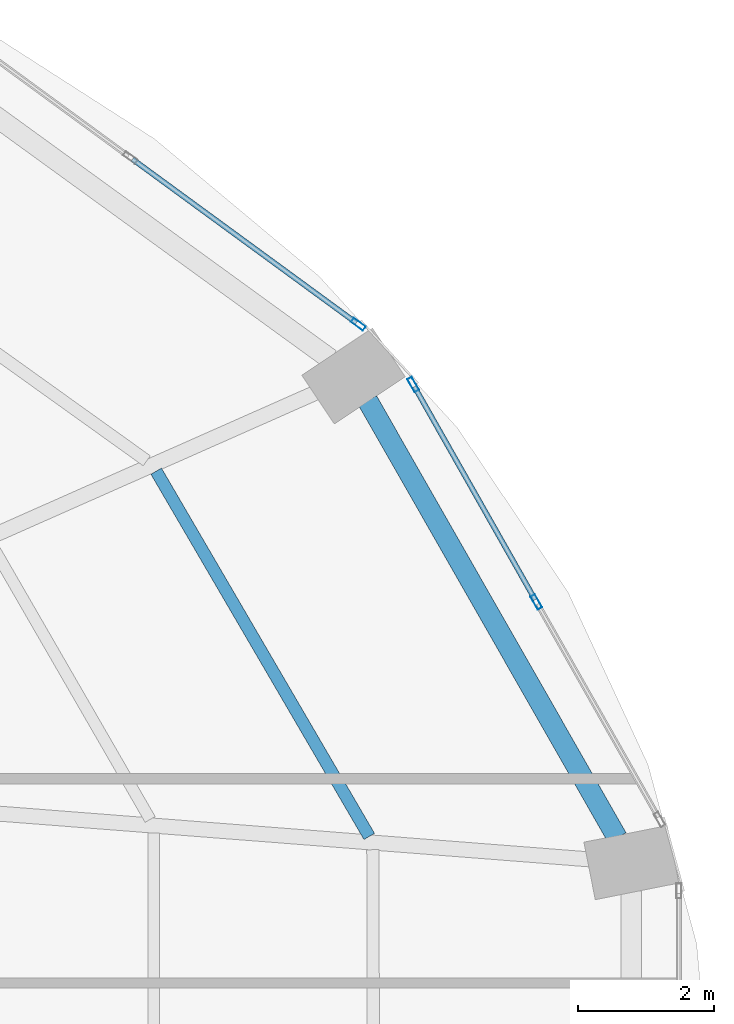
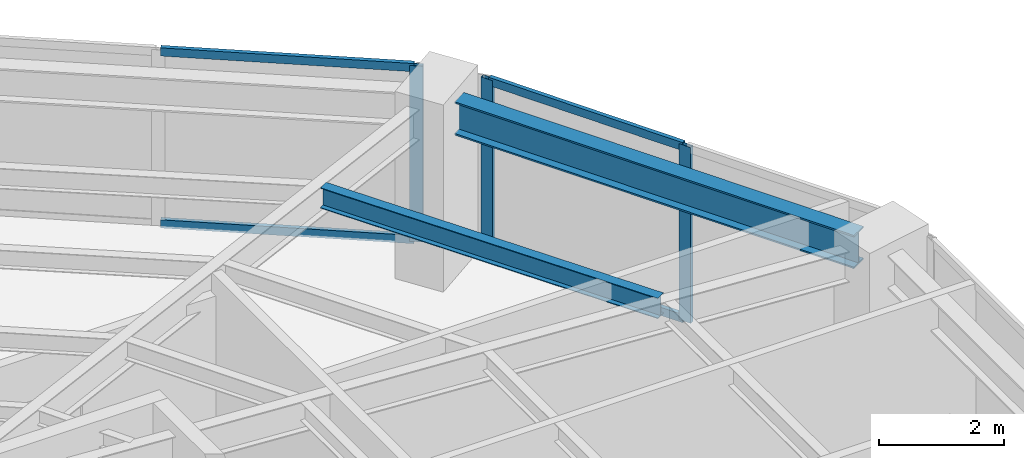
# One storey, part 19 of 25: 7 members, 2 beams, 2 elements without a shape of their own.
"""IFC4 building model written with IfcOpenShell, lengths in metres."""

import ifcopenshell
import ifcopenshell.guid

model = None  # the IFC model being written
_history = None  # IfcOwnerHistory: only IFC2X3 demands one
_inside = {}  # id of a spatial element -> (the spatial element, [elements in it])
_under = {}  # id of a project, library or spatial element -> (it, [spatial elements below it])
_declared = {}  # id of a project -> (the project, [libraries it declares])
_typed = {}  # id of a type object -> (the type object, [elements of that type])
_made_of = {}  # id of a material, layer set ... -> (it, [elements and type objects made of it])


def new_model(schema):
    """Start an empty IFC model of exactly this schema.

    Asked for "IFC4X3", IfcOpenShell would pick the latest addendum, in which some entities
    have other attributes; the version numbers below select the first issue.
    IFC2X3 requires an IfcOwnerHistory on every rooted entity: one is made here for all.
    """
    global model, _history
    if schema == "IFC4X3":
        model = ifcopenshell.file(schema_version=(4, 3, 0, 0))
    else:
        model = ifcopenshell.file(schema=schema)
    _inside.clear()
    _under.clear()
    _declared.clear()
    _typed.clear()
    _made_of.clear()
    _history = None
    if model.schema == "IFC2X3":
        org = make("IfcOrganization", Name="unknown")
        user = make(
            "IfcPersonAndOrganization",
            ThePerson=make("IfcPerson", FamilyName="unknown"),
            TheOrganization=org,
        )
        app = make(
            "IfcApplication",
            ApplicationDeveloper=org,
            Version="unknown",
            ApplicationFullName="unknown",
            ApplicationIdentifier="unknown",
        )
        _history = make(
            "IfcOwnerHistory",
            OwningUser=user,
            OwningApplication=app,
            ChangeAction="ADDED",
            CreationDate=0,
        )
    return model


def make(cls, **values):
    """One entity of the class cls with the attributes given. An attribute that is None is left unset."""
    return model.create_entity(
        cls, **{name: value for name, value in values.items() if value is not None}
    )


def rooted(cls, **values):
    """An entity with a GlobalId (a new one), such as an element, a storey or a relation."""
    return make(cls, GlobalId=ifcopenshell.guid.new(), OwnerHistory=_history, **values)


def si_unit(unit_type, name, prefix=None):
    """IfcSIUnit, for example si_unit("LENGTHUNIT", "METRE", prefix="MILLI")."""
    return make("IfcSIUnit", UnitType=unit_type, Prefix=prefix, Name=name)


def assignment(units):
    """IfcUnitAssignment: the units of a project."""
    return None if units is None else make("IfcUnitAssignment", Units=units)


def point(xyz):
    """IfcCartesianPoint."""
    return None if xyz is None else make("IfcCartesianPoint", Coordinates=xyz)


def direction(xyz):
    """IfcDirection."""
    return None if xyz is None else make("IfcDirection", DirectionRatios=xyz)


def frame(location, z_axis=None, x_axis=None):
    """IfcAxis2Placement3D, a coordinate frame: its origin and axes. An axis left out is left unset."""
    return make(
        "IfcAxis2Placement3D",
        Location=point(location),
        Axis=direction(z_axis),
        RefDirection=direction(x_axis),
    )


def frame_2d(location, x_axis=None):
    """IfcAxis2Placement2D, a coordinate frame in the plane: its origin and x axis."""
    return make(
        "IfcAxis2Placement2D", Location=point(location), RefDirection=direction(x_axis)
    )


def origin():
    """The frame at (0, 0, 0) with its axes left unset."""
    return frame((0.0, 0.0, 0.0))


def origin_2d():
    """The frame at (0, 0) in the plane with its x axis left unset."""
    return frame_2d((0.0, 0.0))


def place(relative_to, where):
    """IfcLocalPlacement: puts the frame where relative to a parent placement (None: the world)."""
    return make(
        "IfcLocalPlacement", PlacementRelTo=relative_to, RelativePlacement=where
    )


def context(
    kind, dimensions, precision=None, world=None, true_north=None, identifier=None
):
    """IfcGeometricRepresentationContext, for example the 3D "Model" context."""
    return make(
        "IfcGeometricRepresentationContext",
        ContextIdentifier=identifier,
        ContextType=kind,
        CoordinateSpaceDimension=dimensions,
        Precision=precision,
        WorldCoordinateSystem=world,
        TrueNorth=true_north,
    )


def subcontext(parent, identifier, kind, view, scale=None):
    """IfcGeometricRepresentationSubContext, for example "Body" below "Model"."""
    return make(
        "IfcGeometricRepresentationSubContext",
        ContextIdentifier=identifier,
        ContextType=kind,
        ParentContext=parent,
        TargetScale=scale,
        TargetView=view,
    )


def project(units=None, contexts=None):
    """IfcProject with its units and contexts."""
    return rooted(
        "IfcProject",
        Name="project",
        RepresentationContexts=contexts,
        UnitsInContext=assignment(units),
    )


def spatial(cls, under=None, at=None, **own):
    """A site, building, storey or space (cls), placed at a placement, below another one or the project."""
    s = rooted(cls, ObjectPlacement=at, **own)
    if under is not None:
        _under.setdefault(under.id(), (under, []))[1].append(s)
    return s


def profile(cls, at=None, kind="AREA", **sizes):
    """A parametric profile (cls). Its sizes go by their IFC names, for example OverallWidth=200.0."""
    return make(cls, ProfileType=kind, Position=at, **sizes)


def hollow_rectangle(**sizes):
    """IfcRectangleHollowProfileDef."""
    return profile("IfcRectangleHollowProfileDef", **sizes)


def i_section(**sizes):
    """IfcIShapeProfileDef."""
    return profile("IfcIShapeProfileDef", **sizes)


def extrude(swept, where, along, depth):
    """IfcExtrudedAreaSolid: the profile swept, set in the frame where, extruded along a direction by depth."""
    return make(
        "IfcExtrudedAreaSolid",
        SweptArea=swept,
        Position=where,
        ExtrudedDirection=direction(along),
        Depth=depth,
    )


def shape(context_of_items, identifier, shape_type, items):
    """IfcShapeRepresentation: the items that make up one representation, for example the "Body"."""
    return make(
        "IfcShapeRepresentation",
        ContextOfItems=context_of_items,
        RepresentationIdentifier=identifier,
        RepresentationType=shape_type,
        Items=items,
    )


def material(Name=None, Category=None):
    """IfcMaterial."""
    return make("IfcMaterial", Name=Name, Category=Category)


def layer(
    of_material, thickness, ventilated=None, Name=None, Category=None, Priority=None
):
    """IfcMaterialLayer: one layer of a wall or slab, of a material (None: an air gap)."""
    return make(
        "IfcMaterialLayer",
        Material=of_material,
        LayerThickness=thickness,
        IsVentilated=ventilated,
        Name=Name,
        Category=Category,
        Priority=Priority,
    )


def layer_set(layers, Name=None):
    """IfcMaterialLayerSet."""
    return make("IfcMaterialLayerSet", MaterialLayers=layers, LayerSetName=Name)


def material_profile(
    of_material, cross_section, Name=None, Category=None, Priority=None
):
    """IfcMaterialProfile: a cross section and its material."""
    return make(
        "IfcMaterialProfile",
        Name=Name,
        Material=of_material,
        Profile=cross_section,
        Priority=Priority,
        Category=Category,
    )


def profile_set(profiles, Name=None, composite=None):
    """IfcMaterialProfileSet."""
    return make(
        "IfcMaterialProfileSet",
        Name=Name,
        MaterialProfiles=profiles,
        CompositeProfile=composite,
    )


def made_of(thing, what):
    """Note that an element or type object is made of a material, layer set ...; save() writes the relation."""
    if what is not None:
        _made_of.setdefault(what.id(), (what, []))[1].append(thing)
    return thing


def type_object(cls, material=None, **own):
    """A type object (cls), such as IfcWallType, which elements share."""
    return made_of(rooted(cls, **own), material)


def element(
    cls,
    number,
    at=None,
    inside=None,
    cuts=None,
    type_object=None,
    material=None,
    context=None,
    identifier="Body",
    shape_type=None,
    held_by="IfcProductDefinitionShape",
    body=None,
    shapes=None,
    **own,
):
    """One element of the class cls, such as IfcWall. Its Tag is "e" and its number.

    at: its placement. inside: the storey or other place that contains it. cuts: it is an
    opening in that element (IfcRelVoidsElement). A single representation is given by context,
    identifier, shape_type and body (its items); several are given by shapes. held_by: the class
    of the entity that holds the representations. save() writes the other relations.
    """
    e = rooted(cls, Tag="e%d" % number, ObjectPlacement=at, **own)
    if body is not None:
        shapes = [shape(context, identifier, shape_type, body)]
    if shapes is not None:
        e.Representation = make(held_by, Representations=shapes)
    if inside is not None:
        _inside.setdefault(inside.id(), (inside, []))[1].append(e)
    if cuts is not None:
        rooted(
            "IfcRelVoidsElement", RelatingBuildingElement=cuts, RelatedOpeningElement=e
        )
    if type_object is not None:
        _typed.setdefault(type_object.id(), (type_object, []))[1].append(e)
    return made_of(e, material)


def aggregate(whole, parts):
    """IfcRelAggregates: a whole, such as a stair, and the parts it consists of."""
    return rooted("IfcRelAggregates", RelatingObject=whole, RelatedObjects=parts)


def save(model, path):
    """Write the relations noted so far, then the file.

    IfcRelAggregates (storeys below a building ...), IfcRelContainedInSpatialStructure (elements
    in a storey), IfcRelDefinesByType, IfcRelAssociatesMaterial and IfcRelDeclares: one each for
    every whole, place, type object, material and project.
    """
    for whole, parts in _under.values():
        aggregate(whole, parts)
    for where, things in _inside.values():
        rooted(
            "IfcRelContainedInSpatialStructure",
            RelatedElements=things,
            RelatingStructure=where,
        )
    for kind, things in _typed.values():
        rooted("IfcRelDefinesByType", RelatedObjects=things, RelatingType=kind)
    for what, things in _made_of.values():
        rooted("IfcRelAssociatesMaterial", RelatedObjects=things, RelatingMaterial=what)
    for by, libraries in _declared.values():
        rooted("IfcRelDeclares", RelatingContext=by, RelatedDefinitions=libraries)
    model.write(path)


model = new_model("IFC4")

# Units and contexts
model_context = context("Model", 3, precision=1e-05, world=origin(), true_north=direction((0.0, 1.0)))
body_context = subcontext(model_context, "Body", "Model", "MODEL_VIEW")
ifc_project = project(units=[si_unit("LENGTHUNIT", "METRE"), si_unit("AREAUNIT", "SQUARE_METRE"), si_unit("VOLUMEUNIT", "CUBIC_METRE"), si_unit("PLANEANGLEUNIT", "RADIAN"), si_unit("MASSUNIT", "GRAM", prefix="KILO")], contexts=[model_context])

# Site, building, storey
site_placement = place(None, origin())
site = spatial("IfcSite", under=ifc_project, at=site_placement, CompositionType="ELEMENT")
building_placement = place(site_placement, origin())
building = spatial("IfcBuilding", under=site, at=building_placement, Name="Lazwardi Medical Tower", CompositionType="ELEMENT")
storey_placement = place(building_placement, frame((0.0, 0.0, 47.087890625)))
storey = spatial("IfcBuildingStorey", under=building, at=storey_placement, Name="L11", CompositionType="ELEMENT", Elevation=47.087890625)

# Beams
ifc_material_1 = material(Name="Steel S355", Category="steel")
ifc_material_profile_1 = material_profile(ifc_material_1, i_section(OverallWidth=0.300048828125, OverallDepth=0.64990234375, WebThickness=0.01611328125, FlangeThickness=0.031005859375, at=origin_2d()), Name="HEB 650")
ifc_profile_set_1 = profile_set([ifc_material_profile_1], Name="Steel S355")
beam_type_1 = type_object("IfcBeamType", Name="BM-RB-Z1", PredefinedType="BEAM", material=ifc_profile_set_1)
beam_1_placement = place(storey_placement, frame((62.591796875, 34.63232421875, 3.10302734375), z_axis=(-0.49581512241, 0.868428099724, 0.0), x_axis=(-0.868428099724, -0.49581512241, 0.0)))
element("IfcBeam", 1, at=beam_1_placement, inside=storey, type_object=beam_type_1, Name="Ring beam RB-02 B05 L11", PredefinedType="BEAM", context=body_context, shape_type="SweptSolid", body=[
    extrude(i_section(OverallWidth=0.300048828125, OverallDepth=0.64990234375, WebThickness=0.01611328125, FlangeThickness=0.031005859375, at=origin_2d()), origin(), (0.0, 0.0, 1.0), 7.389404296875),
])
ifc_material_profile_2 = material_profile(ifc_material_1, i_section(OverallWidth=0.179931640625, OverallDepth=0.39990234375, WebThickness=0.008544921875, FlangeThickness=0.013427734375, at=origin_2d()), Name="IPE 400")
ifc_profile_set_2 = profile_set([ifc_material_profile_2], Name="Steel S355")
beam_type_2 = type_object("IfcBeamType", Name="BM-SJ-01", PredefinedType="JOIST", material=ifc_profile_set_2)
beam_2_placement = place(storey_placement, frame((58.951171875, 34.65234375, 3.22802734375), z_axis=(-0.503846579557, 0.863793160582, 0.0), x_axis=(-0.863793160582, -0.503846579557, 0.0)))
element("IfcBeam", 2, at=beam_2_placement, inside=storey, type_object=beam_type_2, Name="Secondary joist SJ-01 R1 B05 L11", PredefinedType="JOIST", context=body_context, shape_type="SweptSolid", body=[
    extrude(i_section(OverallWidth=0.179931640625, OverallDepth=0.39990234375, WebThickness=0.008544921875, FlangeThickness=0.013427734375, at=origin_2d()), origin(), (0.0, 0.0, 1.0), 6.20947265625),
])

# Curtain wall, members
ifc_material_2 = material(Name="Anodised bronze aluminium and solar control glazing", Category="aluminium")
ifc_layer = layer(ifc_material_2, 0.199951171875)
ifc_layer_set = layer_set([ifc_layer], Name="Anodised bronze aluminium and solar control glazing")
curtain_wall_type = type_object("IfcCurtainWallType", Name="CW-SYS-02", PredefinedType="NOTDEFINED", material=ifc_layer_set)
curtain_wall_1_placement = place(storey_placement, origin())
curtain_wall_1 = element("IfcCurtainWall", 3, at=curtain_wall_1_placement, inside=storey, type_object=curtain_wall_type, Name="L11 Unitised bronze curtain wall CW-02", PredefinedType="NOTDEFINED")
ifc_material_3 = material(Name="Anodised bronze aluminium", Category="aluminium")
ifc_material_profile_3 = material_profile(ifc_material_3, hollow_rectangle(XDim=0.074951171875, YDim=0.219970703125, WallThickness=0.00390625, at=origin_2d()), Name="ALU-MULLION 220x75x4")
ifc_profile_set_3 = profile_set([ifc_material_profile_3], Name="Anodised bronze aluminium")
member_type_1 = type_object("IfcMemberType", Name="CW-MUL-01", PredefinedType="MULLION", material=ifc_profile_set_3)
member_1_placement = place(storey_placement, frame((61.4052734375, 38.095458984375, 0.0), z_axis=(0.0, 0.0, 1.0), x_axis=(-0.870111838823, -0.492854327303, 0.0)))
member_1 = element("IfcMember", 4, at=member_1_placement, type_object=member_type_1, Name="CW-02 mullion 2", PredefinedType="MULLION", context=body_context, shape_type="SweptSolid", body=[
    extrude(hollow_rectangle(XDim=0.074951171875, YDim=0.219970703125, WallThickness=0.00390625, at=origin_2d()), origin(), (0.0, 0.0, 1.0), 3.42822265625),
])
member_2_placement = place(storey_placement, frame((59.5966796875, 41.28857421875, 0.0), z_axis=(0.0, 0.0, 1.0), x_axis=(-0.870111838823, -0.492854327303, 0.0)))
member_2 = element("IfcMember", 5, at=member_2_placement, type_object=member_type_1, Name="CW-02 mullion 3", PredefinedType="MULLION", context=body_context, shape_type="SweptSolid", body=[
    extrude(hollow_rectangle(XDim=0.074951171875, YDim=0.219970703125, WallThickness=0.00390625, at=origin_2d()), origin(), (0.0, 0.0, 1.0), 3.42822265625),
])

# Curtain wall, member
curtain_wall_2_placement = place(storey_placement, origin())
curtain_wall_2 = element("IfcCurtainWall", 6, at=curtain_wall_2_placement, inside=storey, type_object=curtain_wall_type, Name="L11 Unitised bronze curtain wall CW-02", PredefinedType="NOTDEFINED")
member_3_placement = place(storey_placement, frame((58.790283203125, 42.172607421875, 0.0), z_axis=(0.0, 0.0, 1.0), x_axis=(-0.590289307341, -0.807191757663, 0.0)))
member_3 = element("IfcMember", 7, at=member_3_placement, type_object=member_type_1, Name="CW-02 mullion 1", PredefinedType="MULLION", context=body_context, shape_type="SweptSolid", body=[
    extrude(hollow_rectangle(XDim=0.074951171875, YDim=0.219970703125, WallThickness=0.00390625, at=origin_2d()), origin(), (0.0, 0.0, 1.0), 3.42822265625),
])

# Member
ifc_material_profile_4 = material_profile(ifc_material_3, hollow_rectangle(XDim=0.074951171875, YDim=0.159912109375, WallThickness=0.00390625, at=origin_2d()), Name="ALU-TRANSOM 160x75x4")
ifc_profile_set_4 = profile_set([ifc_material_profile_4], Name="Anodised bronze aluminium")
member_type_2 = type_object("IfcMemberType", Name="CW-TRN-01", PredefinedType="USERDEFINED", material=ifc_profile_set_4)
member_4_placement = place(storey_placement, frame((61.386962890625, 38.128173828125, 0.03759765625), z_axis=(-0.492880614687, 0.870096948429, 0.0), x_axis=(-0.870096948429, -0.492880614687, 0.0)))
member_4 = element("IfcMember", 8, at=member_4_placement, type_object=member_type_2, Name="CW-02 transom 2.1", ObjectType="TRANSOM", PredefinedType="USERDEFINED", context=body_context, shape_type="SweptSolid", body=[
    extrude(hollow_rectangle(XDim=0.074951171875, YDim=0.159912109375, WallThickness=0.00390625, at=origin_2d()), origin(), (0.0, 0.0, 1.0), 3.5947265625),
])

member_5_placement = place(storey_placement, frame((61.386962890625, 38.128173828125, 3.390625), z_axis=(-0.492880614687, 0.870096948429, 0.0), x_axis=(-0.870096948429, -0.492880614687, 0.0)))
member_5 = element("IfcMember", 9, at=member_5_placement, type_object=member_type_2, Name="CW-02 transom 2.2", ObjectType="TRANSOM", PredefinedType="USERDEFINED", context=body_context, shape_type="SweptSolid", body=[
    extrude(hollow_rectangle(XDim=0.074951171875, YDim=0.159912109375, WallThickness=0.00390625, at=origin_2d()), origin(), (0.0, 0.0, 1.0), 3.5947265625),
])

aggregate(curtain_wall_1, [member_1, member_2, member_4, member_5])

member_6_placement = place(storey_placement, frame((58.760009765625, 42.194580078125, 0.03759765625), z_axis=(-0.807189956199, 0.590291770748, 0.0), x_axis=(-0.590291770748, -0.807189956199, 0.0)))
member_6 = element("IfcMember", 10, at=member_6_placement, type_object=member_type_2, Name="CW-02 transom 1.1", ObjectType="TRANSOM", PredefinedType="USERDEFINED", context=body_context, shape_type="SweptSolid", body=[
    extrude(hollow_rectangle(XDim=0.074951171875, YDim=0.159912109375, WallThickness=0.00390625, at=origin_2d()), origin(), (0.0, 0.0, 1.0), 4.070068359375),
])

member_7_placement = place(storey_placement, frame((58.760009765625, 42.194580078125, 3.390625), z_axis=(-0.807189956199, 0.590291770748, 0.0), x_axis=(-0.590291770748, -0.807189956199, 0.0)))
member_7 = element("IfcMember", 11, at=member_7_placement, type_object=member_type_2, Name="CW-02 transom 1.2", ObjectType="TRANSOM", PredefinedType="USERDEFINED", context=body_context, shape_type="SweptSolid", body=[
    extrude(hollow_rectangle(XDim=0.074951171875, YDim=0.159912109375, WallThickness=0.00390625, at=origin_2d()), origin(), (0.0, 0.0, 1.0), 4.070068359375),
])

aggregate(curtain_wall_2, [member_3, member_6, member_7])

save(model, "model.ifc")
